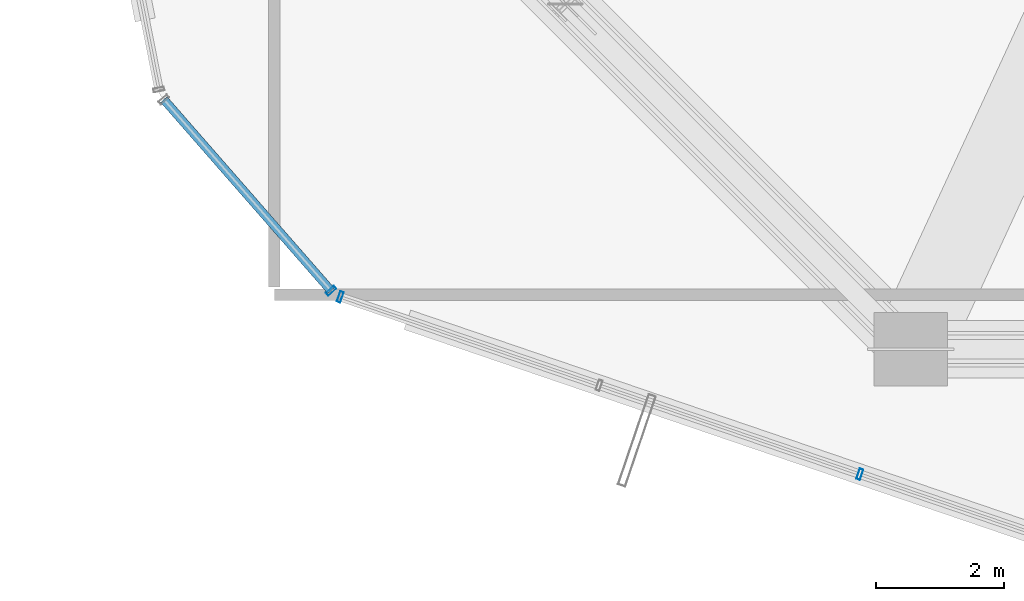
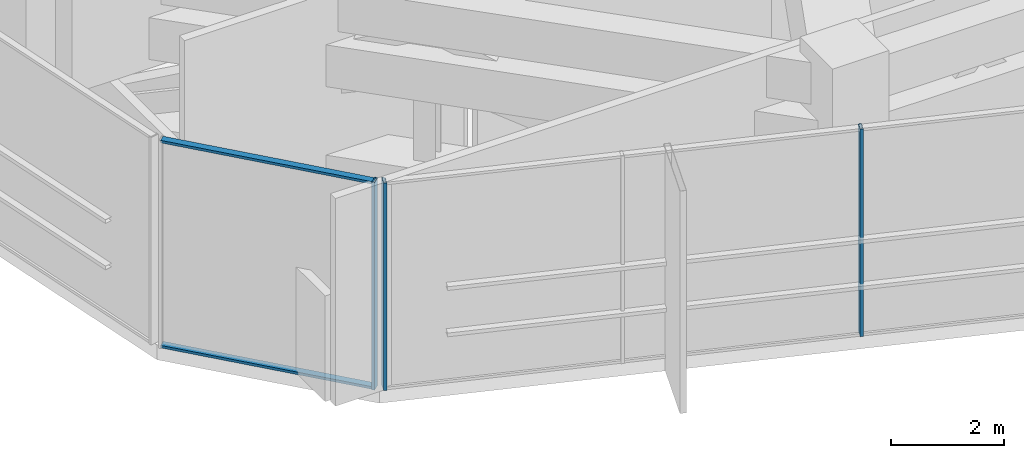
# One storey, part 2 of 36: 5 members, 2 elements without a shape of their own.
"""IFC4 building model written with IfcOpenShell, lengths in metres."""

import ifcopenshell
import ifcopenshell.guid

model = None  # the IFC model being written
_history = None  # IfcOwnerHistory: only IFC2X3 demands one
_inside = {}  # id of a spatial element -> (the spatial element, [elements in it])
_under = {}  # id of a project, library or spatial element -> (it, [spatial elements below it])
_declared = {}  # id of a project -> (the project, [libraries it declares])
_typed = {}  # id of a type object -> (the type object, [elements of that type])
_made_of = {}  # id of a material, layer set ... -> (it, [elements and type objects made of it])


def new_model(schema):
    """Start an empty IFC model of exactly this schema.

    Asked for "IFC4X3", IfcOpenShell would pick the latest addendum, in which some entities
    have other attributes; the version numbers below select the first issue.
    IFC2X3 requires an IfcOwnerHistory on every rooted entity: one is made here for all.
    """
    global model, _history
    if schema == "IFC4X3":
        model = ifcopenshell.file(schema_version=(4, 3, 0, 0))
    else:
        model = ifcopenshell.file(schema=schema)
    _inside.clear()
    _under.clear()
    _declared.clear()
    _typed.clear()
    _made_of.clear()
    _history = None
    if model.schema == "IFC2X3":
        org = make("IfcOrganization", Name="unknown")
        user = make(
            "IfcPersonAndOrganization",
            ThePerson=make("IfcPerson", FamilyName="unknown"),
            TheOrganization=org,
        )
        app = make(
            "IfcApplication",
            ApplicationDeveloper=org,
            Version="unknown",
            ApplicationFullName="unknown",
            ApplicationIdentifier="unknown",
        )
        _history = make(
            "IfcOwnerHistory",
            OwningUser=user,
            OwningApplication=app,
            ChangeAction="ADDED",
            CreationDate=0,
        )
    return model


def make(cls, **values):
    """One entity of the class cls with the attributes given. An attribute that is None is left unset."""
    return model.create_entity(
        cls, **{name: value for name, value in values.items() if value is not None}
    )


def rooted(cls, **values):
    """An entity with a GlobalId (a new one), such as an element, a storey or a relation."""
    return make(cls, GlobalId=ifcopenshell.guid.new(), OwnerHistory=_history, **values)


def si_unit(unit_type, name, prefix=None):
    """IfcSIUnit, for example si_unit("LENGTHUNIT", "METRE", prefix="MILLI")."""
    return make("IfcSIUnit", UnitType=unit_type, Prefix=prefix, Name=name)


def assignment(units):
    """IfcUnitAssignment: the units of a project."""
    return None if units is None else make("IfcUnitAssignment", Units=units)


def point(xyz):
    """IfcCartesianPoint."""
    return None if xyz is None else make("IfcCartesianPoint", Coordinates=xyz)


def direction(xyz):
    """IfcDirection."""
    return None if xyz is None else make("IfcDirection", DirectionRatios=xyz)


def frame(location, z_axis=None, x_axis=None):
    """IfcAxis2Placement3D, a coordinate frame: its origin and axes. An axis left out is left unset."""
    return make(
        "IfcAxis2Placement3D",
        Location=point(location),
        Axis=direction(z_axis),
        RefDirection=direction(x_axis),
    )


def frame_2d(location, x_axis=None):
    """IfcAxis2Placement2D, a coordinate frame in the plane: its origin and x axis."""
    return make(
        "IfcAxis2Placement2D", Location=point(location), RefDirection=direction(x_axis)
    )


def origin():
    """The frame at (0, 0, 0) with its axes left unset."""
    return frame((0.0, 0.0, 0.0))


def origin_2d():
    """The frame at (0, 0) in the plane with its x axis left unset."""
    return frame_2d((0.0, 0.0))


def place(relative_to, where):
    """IfcLocalPlacement: puts the frame where relative to a parent placement (None: the world)."""
    return make(
        "IfcLocalPlacement", PlacementRelTo=relative_to, RelativePlacement=where
    )


def context(
    kind, dimensions, precision=None, world=None, true_north=None, identifier=None
):
    """IfcGeometricRepresentationContext, for example the 3D "Model" context."""
    return make(
        "IfcGeometricRepresentationContext",
        ContextIdentifier=identifier,
        ContextType=kind,
        CoordinateSpaceDimension=dimensions,
        Precision=precision,
        WorldCoordinateSystem=world,
        TrueNorth=true_north,
    )


def subcontext(parent, identifier, kind, view, scale=None):
    """IfcGeometricRepresentationSubContext, for example "Body" below "Model"."""
    return make(
        "IfcGeometricRepresentationSubContext",
        ContextIdentifier=identifier,
        ContextType=kind,
        ParentContext=parent,
        TargetScale=scale,
        TargetView=view,
    )


def project(units=None, contexts=None):
    """IfcProject with its units and contexts."""
    return rooted(
        "IfcProject",
        Name="project",
        RepresentationContexts=contexts,
        UnitsInContext=assignment(units),
    )


def spatial(cls, under=None, at=None, **own):
    """A site, building, storey or space (cls), placed at a placement, below another one or the project."""
    s = rooted(cls, ObjectPlacement=at, **own)
    if under is not None:
        _under.setdefault(under.id(), (under, []))[1].append(s)
    return s


def profile(cls, at=None, kind="AREA", **sizes):
    """A parametric profile (cls). Its sizes go by their IFC names, for example OverallWidth=200.0."""
    return make(cls, ProfileType=kind, Position=at, **sizes)


def hollow_rectangle(**sizes):
    """IfcRectangleHollowProfileDef."""
    return profile("IfcRectangleHollowProfileDef", **sizes)


def extrude(swept, where, along, depth):
    """IfcExtrudedAreaSolid: the profile swept, set in the frame where, extruded along a direction by depth."""
    return make(
        "IfcExtrudedAreaSolid",
        SweptArea=swept,
        Position=where,
        ExtrudedDirection=direction(along),
        Depth=depth,
    )


def shape(context_of_items, identifier, shape_type, items):
    """IfcShapeRepresentation: the items that make up one representation, for example the "Body"."""
    return make(
        "IfcShapeRepresentation",
        ContextOfItems=context_of_items,
        RepresentationIdentifier=identifier,
        RepresentationType=shape_type,
        Items=items,
    )


def source(mapping_origin, context_of_items, identifier, shape_type, items):
    """IfcRepresentationMap: a shape defined once, which mapped items show again and again."""
    return make(
        "IfcRepresentationMap",
        MappingOrigin=mapping_origin,
        MappedRepresentation=shape(context_of_items, identifier, shape_type, items),
    )


def transform(
    local_origin,
    x_axis=None,
    y_axis=None,
    z_axis=None,
    scale=None,
    scale2=None,
    scale3=None,
    uniform=True,
):
    """IfcCartesianTransformationOperator3D, or its non-uniform kind. x_axis, y_axis, z_axis: its Axis1, 2, 3."""
    if uniform:
        return make(
            "IfcCartesianTransformationOperator3D",
            Axis1=direction(x_axis),
            Axis2=direction(y_axis),
            LocalOrigin=point(local_origin),
            Scale=scale,
            Axis3=direction(z_axis),
        )
    return make(
        "IfcCartesianTransformationOperator3DnonUniform",
        Axis1=direction(x_axis),
        Axis2=direction(y_axis),
        LocalOrigin=point(local_origin),
        Scale=scale,
        Axis3=direction(z_axis),
        Scale2=scale2,
        Scale3=scale3,
    )


def mapped(mapping_source, mapping_target):
    """IfcMappedItem: shows the shape of a source again, moved by a transform."""
    return make(
        "IfcMappedItem", MappingSource=mapping_source, MappingTarget=mapping_target
    )


def material(Name=None, Category=None):
    """IfcMaterial."""
    return make("IfcMaterial", Name=Name, Category=Category)


def layer(
    of_material, thickness, ventilated=None, Name=None, Category=None, Priority=None
):
    """IfcMaterialLayer: one layer of a wall or slab, of a material (None: an air gap)."""
    return make(
        "IfcMaterialLayer",
        Material=of_material,
        LayerThickness=thickness,
        IsVentilated=ventilated,
        Name=Name,
        Category=Category,
        Priority=Priority,
    )


def layer_set(layers, Name=None):
    """IfcMaterialLayerSet."""
    return make("IfcMaterialLayerSet", MaterialLayers=layers, LayerSetName=Name)


def material_profile(
    of_material, cross_section, Name=None, Category=None, Priority=None
):
    """IfcMaterialProfile: a cross section and its material."""
    return make(
        "IfcMaterialProfile",
        Name=Name,
        Material=of_material,
        Profile=cross_section,
        Priority=Priority,
        Category=Category,
    )


def profile_set(profiles, Name=None, composite=None):
    """IfcMaterialProfileSet."""
    return make(
        "IfcMaterialProfileSet",
        Name=Name,
        MaterialProfiles=profiles,
        CompositeProfile=composite,
    )


def made_of(thing, what):
    """Note that an element or type object is made of a material, layer set ...; save() writes the relation."""
    if what is not None:
        _made_of.setdefault(what.id(), (what, []))[1].append(thing)
    return thing


def type_object(cls, material=None, **own):
    """A type object (cls), such as IfcWallType, which elements share."""
    return made_of(rooted(cls, **own), material)


def element(
    cls,
    number,
    at=None,
    inside=None,
    cuts=None,
    type_object=None,
    material=None,
    context=None,
    identifier="Body",
    shape_type=None,
    held_by="IfcProductDefinitionShape",
    body=None,
    shapes=None,
    **own,
):
    """One element of the class cls, such as IfcWall. Its Tag is "e" and its number.

    at: its placement. inside: the storey or other place that contains it. cuts: it is an
    opening in that element (IfcRelVoidsElement). A single representation is given by context,
    identifier, shape_type and body (its items); several are given by shapes. held_by: the class
    of the entity that holds the representations. save() writes the other relations.
    """
    e = rooted(cls, Tag="e%d" % number, ObjectPlacement=at, **own)
    if body is not None:
        shapes = [shape(context, identifier, shape_type, body)]
    if shapes is not None:
        e.Representation = make(held_by, Representations=shapes)
    if inside is not None:
        _inside.setdefault(inside.id(), (inside, []))[1].append(e)
    if cuts is not None:
        rooted(
            "IfcRelVoidsElement", RelatingBuildingElement=cuts, RelatedOpeningElement=e
        )
    if type_object is not None:
        _typed.setdefault(type_object.id(), (type_object, []))[1].append(e)
    return made_of(e, material)


def aggregate(whole, parts):
    """IfcRelAggregates: a whole, such as a stair, and the parts it consists of."""
    return rooted("IfcRelAggregates", RelatingObject=whole, RelatedObjects=parts)


def save(model, path):
    """Write the relations noted so far, then the file.

    IfcRelAggregates (storeys below a building ...), IfcRelContainedInSpatialStructure (elements
    in a storey), IfcRelDefinesByType, IfcRelAssociatesMaterial and IfcRelDeclares: one each for
    every whole, place, type object, material and project.
    """
    for whole, parts in _under.values():
        aggregate(whole, parts)
    for where, things in _inside.values():
        rooted(
            "IfcRelContainedInSpatialStructure",
            RelatedElements=things,
            RelatingStructure=where,
        )
    for kind, things in _typed.values():
        rooted("IfcRelDefinesByType", RelatedObjects=things, RelatingType=kind)
    for what, things in _made_of.values():
        rooted("IfcRelAssociatesMaterial", RelatedObjects=things, RelatingMaterial=what)
    for by, libraries in _declared.values():
        rooted("IfcRelDeclares", RelatingContext=by, RelatedDefinitions=libraries)
    model.write(path)


model = new_model("IFC4")

# Units and contexts
model_context = context("Model", 3, precision=1e-05, world=origin(), true_north=direction((0.0, 1.0)))
body_context = subcontext(model_context, "Body", "Model", "MODEL_VIEW")
ifc_project = project(units=[si_unit("LENGTHUNIT", "METRE"), si_unit("AREAUNIT", "SQUARE_METRE"), si_unit("VOLUMEUNIT", "CUBIC_METRE"), si_unit("PLANEANGLEUNIT", "RADIAN"), si_unit("MASSUNIT", "GRAM", prefix="KILO")], contexts=[model_context])

# Site, building, storey
site_placement = place(None, origin())
site = spatial("IfcSite", under=ifc_project, at=site_placement, CompositionType="ELEMENT")
building_placement = place(site_placement, origin())
building = spatial("IfcBuilding", under=site, at=building_placement, Name="Veraguas Prism Commons", CompositionType="ELEMENT")
storey_placement = place(building_placement, frame((0.0, 0.0, 169.550048828125)))
storey = spatial("IfcBuildingStorey", under=building, at=storey_placement, Name="L48", CompositionType="ELEMENT", Elevation=169.550048828125)

# Curtain wall, members
ifc_material = material(Name="Anodised aluminium EN AW-6063 T6", Category="aluminium")
ifc_layer = layer(ifc_material, 0.169921875, Name="Unitised Flush Curtain Wall Zone 2", Category="aluminium")
ifc_layer_set = layer_set([ifc_layer], Name="Anodised aluminium EN AW-6063 T6")
curtain_wall_type = type_object("IfcCurtainWallType", Name="Unitised Flush Curtain Wall Zone 2", PredefinedType="NOTDEFINED", material=ifc_layer_set)
curtain_wall_1_placement = place(storey_placement, origin())
curtain_wall_1 = element("IfcCurtainWall", 1, at=curtain_wall_1_placement, inside=storey, type_object=curtain_wall_type, Name="Tower Facade Curtain Wall L48-F4", PredefinedType="NOTDEFINED")
ifc_material_profile_1 = material_profile(ifc_material, hollow_rectangle(XDim=0.06005859375, YDim=0.169921875, WallThickness=0.00390625, at=origin_2d()), Name="AL60X170X4")
ifc_profile_set_1 = profile_set([ifc_material_profile_1], Name="Anodised aluminium EN AW-6063 T6")
member_type_1 = type_object("IfcMemberType", Name="Curtain Wall Mullion Lower AL 60x170x4", PredefinedType="MULLION", material=ifc_profile_set_1)
shared_shape_1 = source(origin(), body_context, "Body", "SweptSolid", [
    extrude(hollow_rectangle(XDim=0.06005859375, YDim=0.169921875, WallThickness=0.00390625, at=origin_2d()), origin(), (0.0, 0.0, 1.0), 4.47998046875),
])
member_1_placement = place(storey_placement, frame((9.678466796875, 8.618408203125, 0.0), z_axis=(0.0, 0.0, 1.0), x_axis=(0.946424609155, -0.322924850679, 0.0)))
member_1 = element("IfcMember", 2, at=member_1_placement, type_object=member_type_1, Name="CW-Z2 Mullion 1", PredefinedType="MULLION", context=body_context, shape_type="MappedRepresentation", body=[
    mapped(shared_shape_1, transform((0.0, 0.0, 0.0), scale=1.0)),
])
member_2_placement = place(storey_placement, frame((17.805419921875, 5.84521484375, 0.0), z_axis=(0.0, 0.0, 1.0), x_axis=(0.946424609155, -0.322924850679, 0.0)))
member_2 = element("IfcMember", 3, at=member_2_placement, type_object=member_type_1, Name="CW-Z2 Mullion 3", PredefinedType="MULLION", context=body_context, shape_type="MappedRepresentation", body=[
    mapped(shared_shape_1, transform((0.0, 0.0, 0.0), scale=1.0)),
])
aggregate(curtain_wall_1, [member_1, member_2])

curtain_wall_2_placement = place(storey_placement, origin())
curtain_wall_2 = element("IfcCurtainWall", 4, at=curtain_wall_2_placement, inside=storey, type_object=curtain_wall_type, Name="Chamfer Curtain Wall L48-C4", PredefinedType="NOTDEFINED")
member_3_placement = place(storey_placement, frame((9.533935546875, 8.715087890625, 0.0), z_axis=(0.0, 0.0, 1.0), x_axis=(0.658186352891, -0.752855049042, 0.0)))
member_3 = element("IfcMember", 5, at=member_3_placement, type_object=member_type_1, Name="CW-Z2 Mullion 2", PredefinedType="MULLION", context=body_context, shape_type="MappedRepresentation", body=[
    mapped(shared_shape_1, transform((0.0, 0.0, 0.0), scale=1.0)),
])
ifc_material_profile_2 = material_profile(ifc_material, hollow_rectangle(XDim=0.054931640625, YDim=0.135009765625, WallThickness=0.0029296875, at=origin_2d()), Name="AL55X135X3")
ifc_profile_set_2 = profile_set([ifc_material_profile_2], Name="Anodised aluminium EN AW-6063 T6")
member_type_2 = type_object("IfcMemberType", Name="Curtain Wall Transom Standard AL 55x135x3", PredefinedType="USERDEFINED", material=ifc_profile_set_2)
shared_shape_2 = source(origin(), body_context, "Body", "SweptSolid", [
    extrude(hollow_rectangle(XDim=0.054931640625, YDim=0.135009765625, WallThickness=0.0029296875, at=origin_2d()), origin(), (0.0, 0.0, 1.0), 3.97314453125),
])
member_4_placement = place(storey_placement, frame((6.9189453125, 11.706298828125, 0.02734375), z_axis=(0.658173919248, -0.75286591902, 0.0), x_axis=(0.0, 0.0, 1.0)))
member_4 = element("IfcMember", 6, at=member_4_placement, type_object=member_type_2, Name="CW-Z2 Transom 1", ObjectType="TRANSOM", PredefinedType="USERDEFINED", context=body_context, shape_type="MappedRepresentation", body=[
    mapped(shared_shape_2, transform((0.0, 0.0, 0.0), scale=1.0)),
])
member_5_placement = place(storey_placement, frame((6.9189453125, 11.706298828125, 4.452392578125), z_axis=(0.658173919248, -0.75286591902, 0.0), x_axis=(0.0, 0.0, 1.0)))
member_5 = element("IfcMember", 7, at=member_5_placement, type_object=member_type_2, Name="CW-Z2 Transom 2", ObjectType="TRANSOM", PredefinedType="USERDEFINED", context=body_context, shape_type="MappedRepresentation", body=[
    mapped(shared_shape_2, transform((0.0, 0.0, 0.0), scale=1.0)),
])
aggregate(curtain_wall_2, [member_3, member_4, member_5])

save(model, "model.ifc")
